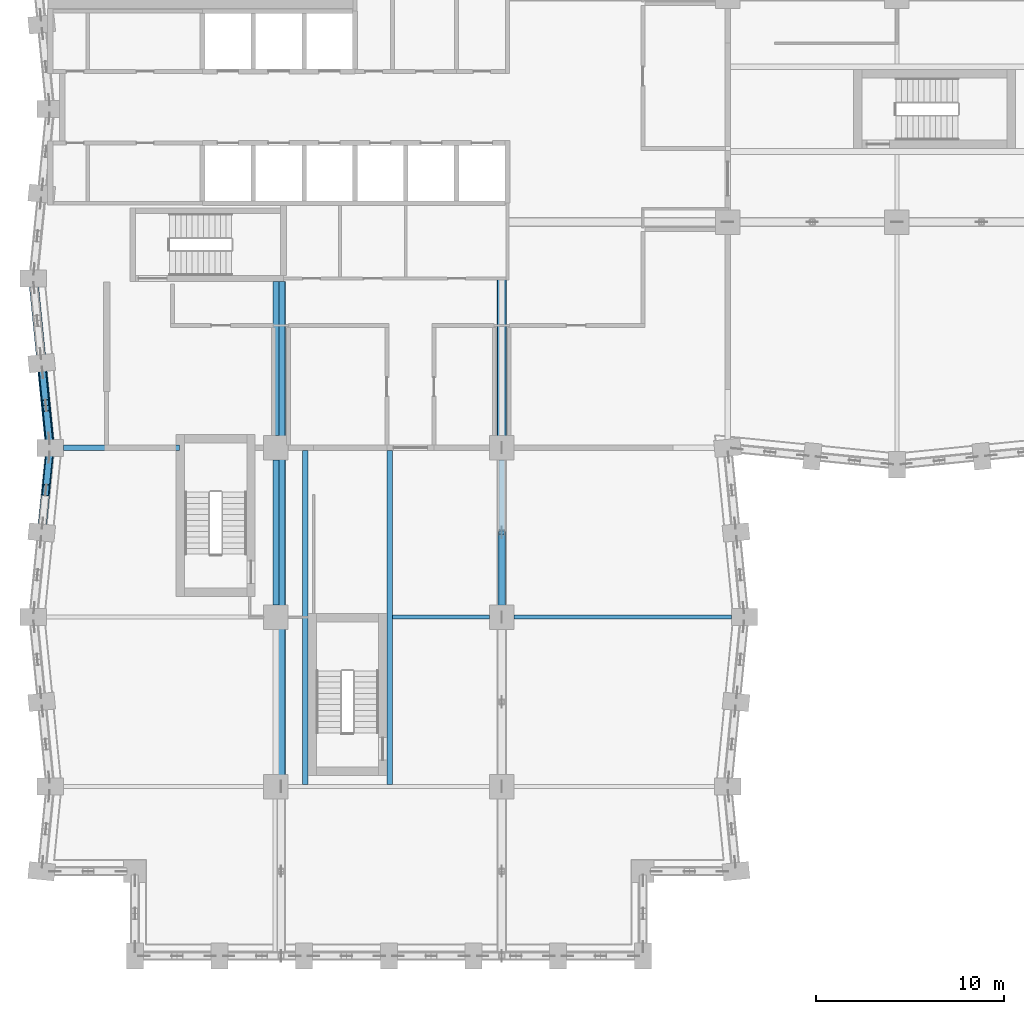
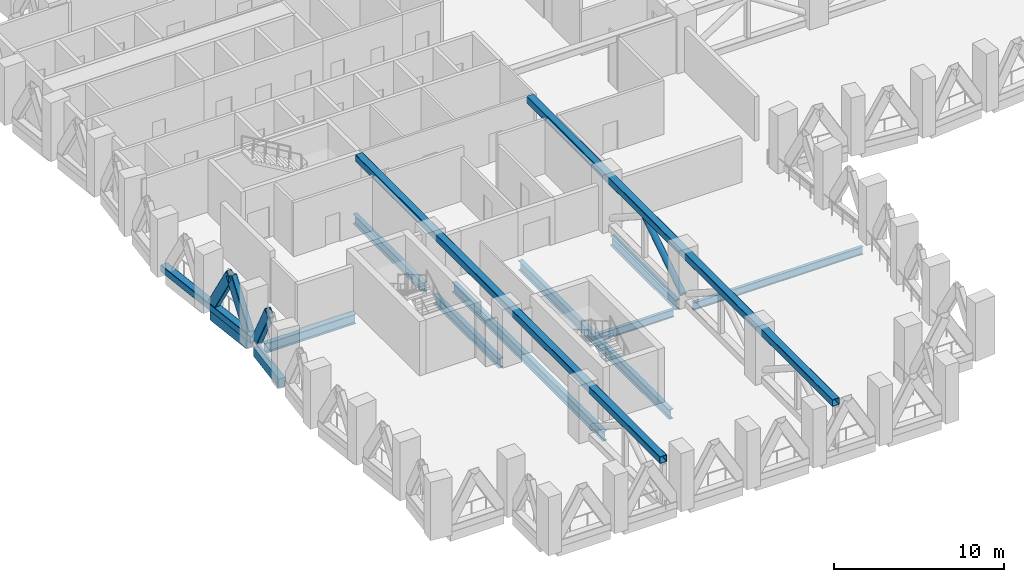
# One storey, part 3 of 25: 10 beams, 7 members.
"""IFC4 building model written with IfcOpenShell, lengths in metres."""

from ifc_helpers import new_model, si_unit, direction, frame, origin, origin_2d, place, context, subcontext, project, spatial, rectangle, hollow_rectangle, hollow_circle, i_section, extrude, material, material_profile, profile_set, type_object, element, save


model = new_model("IFC4")

# Units and contexts
model_context = context("Model", 3, precision=1e-05, world=origin(), true_north=direction((0.0, 1.0)))
body_context = subcontext(model_context, "Body", "Model", "MODEL_VIEW")
ifc_project = project(units=[si_unit("LENGTHUNIT", "METRE"), si_unit("AREAUNIT", "SQUARE_METRE"), si_unit("VOLUMEUNIT", "CUBIC_METRE"), si_unit("PLANEANGLEUNIT", "RADIAN"), si_unit("MASSUNIT", "GRAM", prefix="KILO")], contexts=[model_context])

# Site, building, storey
site_placement = place(None, origin())
site = spatial("IfcSite", under=ifc_project, at=site_placement, CompositionType="ELEMENT")
building_placement = place(site_placement, origin())
building = spatial("IfcBuilding", under=site, at=building_placement, Name="Brondeck Convention Tower", CompositionType="ELEMENT")
storey_placement = place(building_placement, frame((0.0, 0.0, 84.300048828125)))
storey = spatial("IfcBuildingStorey", under=building, at=storey_placement, Name="L19", CompositionType="ELEMENT", Elevation=84.300048828125)

# Members
ifc_material_1 = material(Name="Steel S460", Category="steel")
ifc_material_profile_1 = material_profile(ifc_material_1, hollow_rectangle(XDim=0.39990234375, YDim=0.699951171875, WallThickness=0.030029296875, InnerFilletRadius=0.030029296875, OuterFilletRadius=0.06005859375, at=origin_2d()), Name="RHS 700x400x30")
ifc_profile_set_1 = profile_set([ifc_material_profile_1], Name="Steel S460")
member_type_1 = type_object("IfcMemberType", Name="Chevron brace RHS 700x400x30", PredefinedType="BRACE", material=ifc_profile_set_1)
for number, where, z_axis, x_axis, name in (
    (1, (-0.400146484375, 31.002197265625, 0.5), (0.049703241745, -0.49751766528, 0.866028729601), (0.995046794549, 0.099407628771, 0.0), "Belt truss BT-19-53 diagonal"),
    (2, (-0.0498046875, 27.497802734375, 0.5), (-0.049772391254, 0.497515949904, 0.866025743647), (-0.995033071281, -0.099544899705, 0.0), "Belt truss BT-19-53 diagonal"),
    (3, (-0.0498046875, 26.502197265625, 0.5), (-0.049772391254, -0.497515949904, 0.866025743647), (0.995033071281, -0.099544899705, 0.0), "Belt truss BT-19-54 diagonal"),
):
    element("IfcMember", number, at=place(storey_placement, frame(where, z_axis=z_axis, x_axis=x_axis)), inside=storey, type_object=member_type_1, Name=name, PredefinedType="BRACE", context=body_context, shape_type="SweptSolid", body=[
        extrude(hollow_rectangle(XDim=0.39990234375, YDim=0.699951171875, WallThickness=0.030029296875, InnerFilletRadius=0.030029296875, OuterFilletRadius=0.06005859375, at=origin_2d()), origin(), (0.0, 0.0, 1.0), 3.52197265625),
    ])

# Beams
ifc_material_2 = material(Name="Steel S355", Category="steel")
ifc_material_profile_2 = material_profile(ifc_material_2, i_section(OverallWidth=0.2099609375, OverallDepth=0.550048828125, WebThickness=0.010986328125, FlangeThickness=0.01708984375, FilletRadius=0.02392578125, at=origin_2d()), Name="IPE 550")
ifc_profile_set_2 = profile_set([ifc_material_profile_2], Name="Steel S355")
beam_type_1 = type_object("IfcBeamType", Name="Floor beam IPE 550", PredefinedType="BEAM", material=ifc_profile_set_2)
beam_1_placement = place(storey_placement, frame((24.64990234375, 18.0, -0.574951171875), z_axis=(1.0, 0.0, 0.0), x_axis=(0.0, 1.0, 0.0)))
element("IfcBeam", 4, at=beam_1_placement, inside=storey, type_object=beam_type_1, Name="STR-FB-L19-013", PredefinedType="BEAM", context=body_context, shape_type="SweptSolid", body=[
    extrude(i_section(OverallWidth=0.2099609375, OverallDepth=0.550048828125, WebThickness=0.010986328125, FlangeThickness=0.01708984375, FilletRadius=0.02392578125, at=origin_2d()), origin(), (0.0, 0.0, 1.0), 11.550048828125),
])
beam_2_placement = place(storey_placement, frame((18.199951171875, 18.0, -0.574951171875), z_axis=(1.0, 0.0, 0.0), x_axis=(0.0, 1.0, 0.0)))
element("IfcBeam", 5, at=beam_2_placement, inside=storey, type_object=beam_type_1, Name="STR-FB-L19-016", PredefinedType="BEAM", context=body_context, shape_type="SweptSolid", body=[
    extrude(i_section(OverallWidth=0.2099609375, OverallDepth=0.550048828125, WebThickness=0.010986328125, FlangeThickness=0.01708984375, FilletRadius=0.02392578125, at=origin_2d()), origin(), (0.0, 0.0, 1.0), 5.150146484375),
])
ifc_material_profile_3 = material_profile(ifc_material_2, i_section(OverallWidth=0.300048828125, OverallDepth=0.699951171875, WebThickness=0.01708984375, FlangeThickness=0.031982421875, FilletRadius=0.027099609375, at=origin_2d()), Name="HEB 700")
ifc_profile_set_3 = profile_set([ifc_material_profile_3], Name="Steel S355")
beam_type_2 = type_object("IfcBeamType", Name="Girder HEB 700", PredefinedType="BEAM", material=ifc_profile_set_3)
beam_3_placement = place(storey_placement, frame((12.0, 35.85009765625, -0.650146484375), z_axis=(0.0, -1.0, 0.0), x_axis=(1.0, 0.0, 0.0)))
element("IfcBeam", 6, at=beam_3_placement, inside=storey, type_object=beam_type_2, Name="STR-GR-L19-013", PredefinedType="BEAM", context=body_context, shape_type="SweptSolid", body=[
    extrude(i_section(OverallWidth=0.300048828125, OverallDepth=0.699951171875, WebThickness=0.01708984375, FlangeThickness=0.031982421875, FilletRadius=0.027099609375, at=origin_2d()), origin(), (0.0, 0.0, 1.0), 8.2001953125),
])
for number, where, z_axis, x_axis, name in (
    (7, (12.0, 26.35009765625, -0.650146484375), (0.0, -1.0, 0.0), (1.0, 0.0, 0.0), "STR-GR-L19-014"),
    (8, (24.0, 26.35009765625, -0.650146484375), (0.0, -1.0, 0.0), (1.0, 0.0, 0.0), "STR-GR-L19-018"),
):
    element("IfcBeam", number, at=place(storey_placement, frame(where, z_axis=z_axis, x_axis=x_axis)), inside=storey, type_object=beam_type_2, Name=name, PredefinedType="BEAM", context=body_context, shape_type="SweptSolid", body=[
        extrude(i_section(OverallWidth=0.300048828125, OverallDepth=0.699951171875, WebThickness=0.01708984375, FlangeThickness=0.031982421875, FilletRadius=0.027099609375, at=origin_2d()), origin(), (0.0, 0.0, 1.0), 7.7001953125),
    ])
beam_4_placement = place(storey_placement, frame((0.699951171875, 27.0, -0.650146484375), z_axis=(1.0, 0.0, 0.0), x_axis=(0.0, 1.0, 0.0)))
element("IfcBeam", 9, at=beam_4_placement, inside=storey, type_object=beam_type_2, Name="STR-GR-L19-021", PredefinedType="BEAM", context=body_context, shape_type="SweptSolid", body=[
    extrude(i_section(OverallWidth=0.300048828125, OverallDepth=0.699951171875, WebThickness=0.01708984375, FlangeThickness=0.031982421875, FilletRadius=0.027099609375, at=origin_2d()), origin(), (0.0, 0.0, 1.0), 6.179931640625),
])
for number, where, z_axis, x_axis, name in (
    (10, (13.550048828125, 9.10498046875, -0.650146484375), (0.0, 1.0, 0.0), (-1.0, 0.0, 0.0), "STR-GR-L19-026"),
    (11, (18.050048828125, 9.10498046875, -0.650146484375), (0.0, 1.0, 0.0), (-1.0, 0.0, 0.0), "STR-GR-L19-027"),
):
    element("IfcBeam", number, at=place(storey_placement, frame(where, z_axis=z_axis, x_axis=x_axis)), inside=storey, type_object=beam_type_2, Name=name, PredefinedType="BEAM", context=body_context, shape_type="SweptSolid", body=[
        extrude(i_section(OverallWidth=0.300048828125, OverallDepth=0.699951171875, WebThickness=0.01708984375, FlangeThickness=0.031982421875, FilletRadius=0.027099609375, at=origin_2d()), origin(), (0.0, 0.0, 1.0), 17.7451171875),
    ])
ifc_material_3 = material(Name="Concrete C80/95", Category="concrete")
ifc_material_profile_4 = material_profile(ifc_material_3, rectangle(XDim=0.449951171875, YDim=0.64990234375, at=origin_2d()), Name="Precast spandrel 450x650 Concrete C80/95")
ifc_profile_set_4 = profile_set([ifc_material_profile_4], Name="Concrete C80/95")
beam_type_3 = type_object("IfcBeamType", Name="Precast spandrel 450x650 Concrete C80/95", PredefinedType="SPANDREL", material=ifc_profile_set_4)
for number, where, z_axis, x_axis, name in (
    (12, (-0.4052734375, 31.05224609375, -0.324951171875), (0.099537103649, -0.995033851182, 0.0), (0.995033851182, 0.099537103649, 0.0), "STR-SP-L19-053"),
    (13, (-0.044921875, 26.550048828125, -0.324951171875), (-0.099537103649, -0.995033851182, 0.0), (0.995033851182, -0.099537103649, 0.0), "STR-SP-L19-054"),
):
    element("IfcBeam", number, at=place(storey_placement, frame(where, z_axis=z_axis, x_axis=x_axis)), inside=storey, type_object=beam_type_3, Name=name, PredefinedType="SPANDREL", context=body_context, shape_type="SweptSolid", body=[
        extrude(rectangle(XDim=0.449951171875, YDim=0.64990234375, at=origin_2d()), origin(), (0.0, 0.0, 1.0), 3.620361328125),
    ])

# Members
ifc_material_profile_5 = material_profile(ifc_material_1, hollow_rectangle(XDim=0.5, YDim=0.5, WallThickness=0.02490234375, InnerFilletRadius=0.02490234375, OuterFilletRadius=0.050048828125, at=origin_2d()), Name="RHS 500x500x25")
ifc_profile_set_5 = profile_set([ifc_material_profile_5], Name="Steel S460")
member_type_2 = type_object("IfcMemberType", Name="Truss chord RHS 500x500x25", PredefinedType="CHORD", material=ifc_profile_set_5)
member_1_placement = place(storey_placement, frame((-0.89990234375, 36.0, 0.25), z_axis=(0.099493029059, -0.995038259148, 0.0), x_axis=(0.995038259148, 0.099493029059, 0.0)))
element("IfcMember", 14, at=member_1_placement, inside=storey, type_object=member_type_2, Name="Belt truss BT-19-29 chord", PredefinedType="CHORD", context=body_context, shape_type="SweptSolid", body=[
    extrude(hollow_rectangle(XDim=0.5, YDim=0.5, WallThickness=0.02490234375, InnerFilletRadius=0.02490234375, OuterFilletRadius=0.050048828125, at=origin_2d()), origin(), (0.0, 0.0, 1.0), 9.044921875),
])
member_2_placement = place(storey_placement, frame((12.27001953125, 35.85009765625, 3.64990234375), z_axis=(0.0, -1.0, 0.0), x_axis=(1.0, 0.0, 0.0)))
element("IfcMember", 15, at=member_2_placement, inside=storey, type_object=member_type_2, Name="Outrigger truss OT-19-B1 chord", PredefinedType="CHORD", context=body_context, shape_type="SweptSolid", body=[
    extrude(hollow_rectangle(XDim=0.5, YDim=0.5, WallThickness=0.02490234375, InnerFilletRadius=0.02490234375, OuterFilletRadius=0.050048828125, at=origin_2d()), origin(), (0.0, 0.0, 1.0), 35.85009765625),
])
member_3_placement = place(storey_placement, frame((24.0, 36.0, 3.64990234375), z_axis=(0.0, -1.0, 0.0), x_axis=(1.0, 0.0, 0.0)))
element("IfcMember", 16, at=member_3_placement, inside=storey, type_object=member_type_2, Name="Outrigger truss OT-19-B2 chord", PredefinedType="CHORD", context=body_context, shape_type="SweptSolid", body=[
    extrude(hollow_rectangle(XDim=0.5, YDim=0.5, WallThickness=0.02490234375, InnerFilletRadius=0.02490234375, OuterFilletRadius=0.050048828125, at=origin_2d()), origin(), (0.0, 0.0, 1.0), 36.0),
])
ifc_material_profile_6 = material_profile(ifc_material_1, hollow_circle(Radius=0.203125, WallThickness=0.02490234375, at=origin_2d()), Name="CHS 406.4x25")
ifc_profile_set_6 = profile_set([ifc_material_profile_6], Name="Steel S460")
member_type_3 = type_object("IfcMemberType", Name="Truss diagonal CHS 406.4x25", PredefinedType="BRACE", material=ifc_profile_set_6)
member_4_placement = place(storey_placement, frame((24.0, 22.5, 3.39990234375), z_axis=(0.0, -0.84057934116, -0.541688444786), x_axis=(1.0, 0.0, 0.0)))
element("IfcMember", 17, at=member_4_placement, inside=storey, type_object=member_type_3, Name="Outrigger truss OT-19-B2 diagonal", PredefinedType="BRACE", context=body_context, shape_type="SweptSolid", body=[
    extrude(hollow_circle(Radius=0.203125, WallThickness=0.02490234375, at=origin_2d()), origin(), (0.0, 0.0, 1.0), 5.353515625),
])

save(model, "model.ifc")
